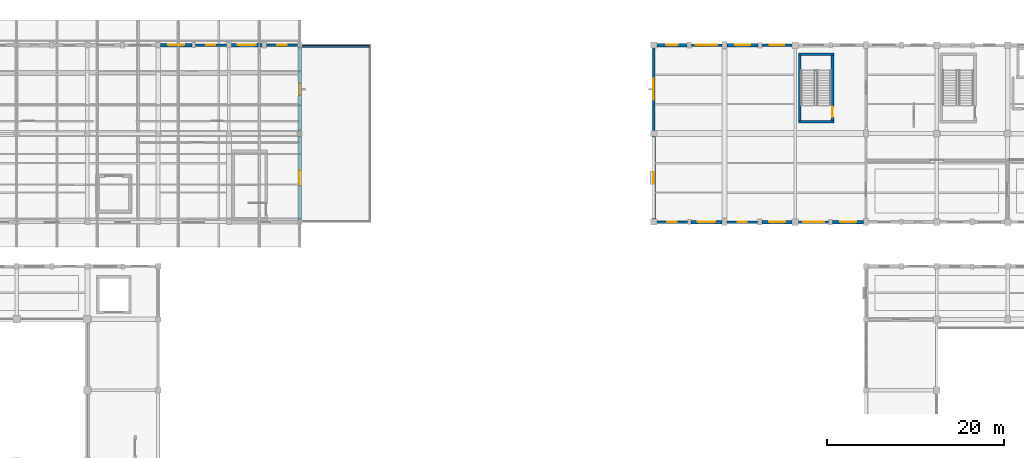
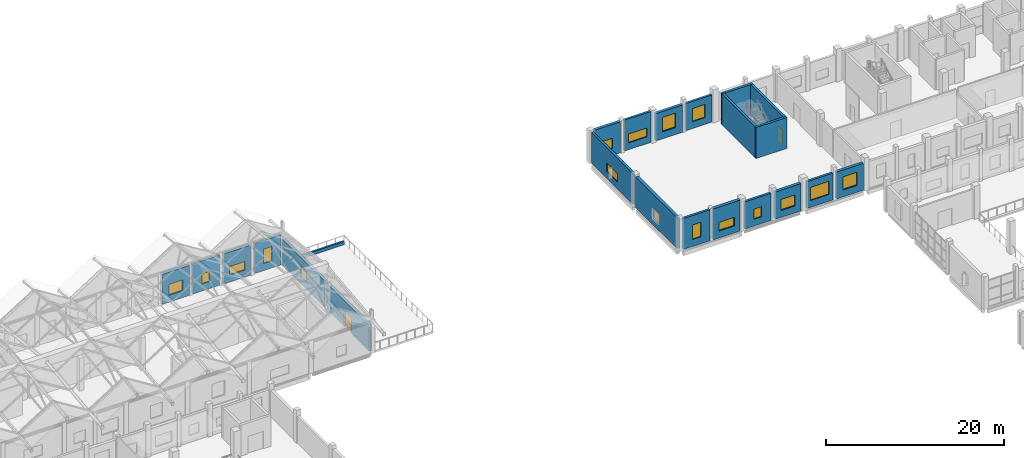
# One storey, part 146 of 183: 23 walls, 17 windows, 2 doors, 19 openings.
"""IFC4 building model written with IfcOpenShell, lengths in metres."""

from ifc_helpers import new_model, si_unit, direction, frame, frame_2d, origin, place, context, subcontext, project, spatial, rectangle, extrude, material, layer, layer_set, type_object, element, fill, save


model = new_model("IFC4")

# Units and contexts
model_context = context("Model", 3, precision=1e-05, world=origin(), true_north=direction((0.0, 1.0)))
body_context = subcontext(model_context, "Body", "Model", "MODEL_VIEW")
ifc_project = project(units=[si_unit("LENGTHUNIT", "METRE"), si_unit("AREAUNIT", "SQUARE_METRE"), si_unit("VOLUMEUNIT", "CUBIC_METRE"), si_unit("PLANEANGLEUNIT", "RADIAN"), si_unit("MASSUNIT", "GRAM", prefix="KILO")], contexts=[model_context])

# Site, building, storey
site_placement = place(None, origin())
site = spatial("IfcSite", under=ifc_project, at=site_placement, CompositionType="ELEMENT")
building_placement = place(site_placement, origin())
building = spatial("IfcBuilding", under=site, at=building_placement, Name="Luwemba Playhouse", CompositionType="ELEMENT")
storey_placement = place(building_placement, frame((0.0, 0.0, 4.800048828125)))
storey = spatial("IfcBuildingStorey", under=building, at=storey_placement, Name="L01", CompositionType="ELEMENT", Elevation=4.800048828125)

# Wall, opening, window
ifc_material_1 = material(Name="Clay facing brick obra vista masonry", Category="masonry")
ifc_layer_1 = layer(ifc_material_1, 0.3798828125)
ifc_layer_set_1 = layer_set([ifc_layer_1], Name="Clay facing brick obra vista masonry")
wall_type_1 = type_object("IfcWallType", Name="WAL-BRK-380", PredefinedType="SOLIDWALL", material=ifc_layer_set_1)
wall_1_placement = place(storey_placement, frame((52.27490234375, 115.0, 0.0), z_axis=(0.0, 0.0, 1.0), x_axis=(1.0, 0.0, 0.0)))
wall_1 = element("IfcWall", 1, at=wall_1_placement, inside=storey, type_object=wall_type_1, Name="L01 V6W exterior facade wall 0218", PredefinedType="SOLIDWALL", context=body_context, shape_type="SweptSolid", body=[
    extrude(rectangle(XDim=3.525146484375, YDim=0.3798828125, at=frame_2d((1.7626953125, 0.0))), origin(), (0.0, 0.0, 1.0), 4.125),
])
opening_1_placement = place(wall_1_placement, frame((0.862548828125, 0.0, 0.949951171875)))
opening_1 = element("IfcOpeningElement", 2, at=opening_1_placement, cuts=wall_1, Name="Opening WN-10", PredefinedType="OPENING", context=body_context, shape_type="SweptSolid", body=[
    extrude(rectangle(XDim=1.800048828125, YDim=1.5, at=frame_2d((0.89990234375, 0.75))), frame((0.0, 0.199951171875, 0.0), z_axis=(0.0, -1.0, 0.0), x_axis=(1.0, 0.0, 0.0)), (0.0, 0.0, 1.0), 0.39990234375),
])
ifc_material_2 = material(Name="Solar-control double glazing in aluminium frame", Category="aluminium")
window_type_1 = type_object("IfcWindowType", Name="WIN-WN-10", PartitioningType="DOUBLE_PANEL_VERTICAL", PredefinedType="WINDOW", material=ifc_material_2)
window_1_placement = place(opening_1_placement, origin())
window_1 = element("IfcWindow", 3, at=window_1_placement, inside=storey, type_object=window_type_1, Name="L01 V6W scheduled window 0166", OverallHeight=1.5, OverallWidth=1.800048828125, PartitioningType="DOUBLE_PANEL_VERTICAL", PredefinedType="WINDOW", context=body_context, shape_type="SweptSolid", body=[
    extrude(rectangle(XDim=1.800048828125, YDim=1.5, at=frame_2d((0.89990234375, 0.75))), frame((0.0, 0.030029296875, 0.0), z_axis=(0.0, -1.0, 0.0), x_axis=(1.0, 0.0, 0.0)), (0.0, 0.0, 1.0), 0.06005859375),
])
fill(opening_1, window_1)

wall_2_placement = place(storey_placement, frame((60.27490234375, 115.0, 0.0), z_axis=(0.0, 0.0, 1.0), x_axis=(1.0, 0.0, 0.0)))
wall_2 = element("IfcWall", 4, at=wall_2_placement, inside=storey, type_object=wall_type_1, Name="L01 V6W exterior facade wall 0220", PredefinedType="SOLIDWALL", context=body_context, shape_type="SweptSolid", body=[
    extrude(rectangle(XDim=3.47509765625, YDim=0.3798828125, at=frame_2d((1.737548828125, 0.0))), origin(), (0.0, 0.0, 1.0), 4.125),
])
opening_2_placement = place(wall_2_placement, frame((0.737548828125, 0.0, 0.949951171875)))
opening_2 = element("IfcOpeningElement", 5, at=opening_2_placement, cuts=wall_2, Name="Opening WN-16", PredefinedType="OPENING", context=body_context, shape_type="SweptSolid", body=[
    extrude(rectangle(XDim=2.0, YDim=1.199951171875, at=frame_2d((1.0, 0.60009765625))), frame((0.0, 0.199951171875, 0.0), z_axis=(0.0, -1.0, 0.0), x_axis=(1.0, 0.0, 0.0)), (0.0, 0.0, 1.0), 0.39990234375),
])
window_type_2 = type_object("IfcWindowType", Name="WIN-WN-16", PartitioningType="DOUBLE_PANEL_HORIZONTAL", PredefinedType="WINDOW", material=ifc_material_2)
window_2_placement = place(opening_2_placement, origin())
window_2 = element("IfcWindow", 6, at=window_2_placement, inside=storey, type_object=window_type_2, Name="L01 V6W scheduled window 0168", OverallHeight=1.199951171875, OverallWidth=2.0, PartitioningType="DOUBLE_PANEL_HORIZONTAL", PredefinedType="WINDOW", context=body_context, shape_type="SweptSolid", body=[
    extrude(rectangle(XDim=2.0, YDim=1.199951171875, at=frame_2d((1.0, 0.60009765625))), frame((0.0, 0.030029296875, 0.0), z_axis=(0.0, -1.0, 0.0), x_axis=(1.0, 0.0, 0.0)), (0.0, 0.0, 1.0), 0.06005859375),
])
fill(opening_2, window_2)

wall_3_placement = place(storey_placement, frame((68.0, 114.72509765625, 0.0), z_axis=(0.0, 0.0, 1.0), x_axis=(0.0, -1.0, 0.0)))
wall_3 = element("IfcWall", 7, at=wall_3_placement, inside=storey, type_object=wall_type_1, Name="L01 V6W exterior facade wall 0222", PredefinedType="SOLIDWALL", context=body_context, shape_type="SweptSolid", body=[
    extrude(rectangle(XDim=9.4501953125, YDim=0.3798828125, at=frame_2d((4.72509765625, 0.0))), origin(), (0.0, 0.0, 1.0), 3.5849609375),
])
opening_3_placement = place(wall_3_placement, frame((4.074951171875, 0.0, 0.949951171875)))
opening_3 = element("IfcOpeningElement", 8, at=opening_3_placement, cuts=wall_3, Name="Opening WN-14", PredefinedType="OPENING", context=body_context, shape_type="SweptSolid", body=[
    extrude(rectangle(XDim=1.300048828125, YDim=1.39990234375, at=frame_2d((0.64990234375, 0.699951171875))), frame((0.0, 0.199951171875, 0.0), z_axis=(0.0, -1.0, 0.0), x_axis=(1.0, 0.0, 0.0)), (0.0, 0.0, 1.0), 0.39990234375),
])
window_type_3 = type_object("IfcWindowType", Name="WIN-WN-14", PartitioningType="SINGLE_PANEL", PredefinedType="WINDOW", material=ifc_material_2)
window_3_placement = place(opening_3_placement, origin())
window_3 = element("IfcWindow", 9, at=window_3_placement, inside=storey, type_object=window_type_3, Name="L01 V6W scheduled window 0170", OverallHeight=1.39990234375, OverallWidth=1.300048828125, PartitioningType="SINGLE_PANEL", PredefinedType="WINDOW", context=body_context, shape_type="SweptSolid", body=[
    extrude(rectangle(XDim=1.300048828125, YDim=1.39990234375, at=frame_2d((0.64990234375, 0.699951171875))), frame((0.0, 0.030029296875, 0.0), z_axis=(0.0, -1.0, 0.0), x_axis=(1.0, 0.0, 0.0)), (0.0, 0.0, 1.0), 0.06005859375),
])
fill(opening_3, window_3)

# Wall, opening, door
wall_4_placement = place(storey_placement, frame((68.0, 104.72509765625, 0.0), z_axis=(0.0, 0.0, 1.0), x_axis=(0.0, -1.0, 0.0)))
wall_4 = element("IfcWall", 10, at=wall_4_placement, inside=storey, type_object=wall_type_1, Name="L01 V6W exterior facade wall 0223", PredefinedType="SOLIDWALL", context=body_context, shape_type="SweptSolid", body=[
    extrude(rectangle(XDim=9.4501953125, YDim=0.3798828125, at=frame_2d((4.72509765625, 0.0))), origin(), (0.0, 0.0, 1.0), 3.5849609375),
])
opening_4_placement = place(wall_4_placement, frame((3.89990234375, 0.0, 0.0)))
opening_4 = element("IfcOpeningElement", 11, at=opening_4_placement, cuts=wall_4, Name="Opening D-TR1", PredefinedType="OPENING", context=body_context, shape_type="SweptSolid", body=[
    extrude(rectangle(XDim=1.64990234375, YDim=2.25, at=frame_2d((0.824951171875, 1.125))), frame((0.0, 0.199951171875, 0.0), z_axis=(0.0, -1.0, 0.0), x_axis=(1.0, 0.0, 0.0)), (0.0, 0.0, 1.0), 0.39990234375),
])
ifc_material_3 = material(Name="Architectural bronze-anodised aluminium and glazed leaf", Category="aluminium")
door_type_1 = type_object("IfcDoorType", Name="DR-TER-165", OperationType="NOTDEFINED", PredefinedType="DOOR", material=ifc_material_3)
door_1_placement = place(opening_4_placement, origin())
door_1 = element("IfcDoor", 12, at=door_1_placement, inside=storey, type_object=door_type_1, Name="L01 TER-V6W-L01 terrace entrance door", OperationType="DOUBLE_DOOR_SINGLE_SWING", OverallHeight=2.25, OverallWidth=1.64990234375, PredefinedType="DOOR", context=body_context, shape_type="SweptSolid", body=[
    extrude(rectangle(XDim=1.64990234375, YDim=2.25, at=frame_2d((0.824951171875, 1.125))), frame((0.0, 0.02490234375, 0.0), z_axis=(0.0, -1.0, 0.0), x_axis=(1.0, 0.0, 0.0)), (0.0, 0.0, 1.0), 0.050048828125),
])
fill(opening_4, door_1)

# Wall, opening, window
wall_5_placement = place(storey_placement, frame((108.0, 95.35009765625, 0.0), z_axis=(0.0, 0.0, 1.0), x_axis=(0.0, 1.0, 0.0)))
wall_5 = element("IfcWall", 13, at=wall_5_placement, inside=storey, type_object=wall_type_1, Name="L01 V6E exterior facade wall 0234", PredefinedType="SOLIDWALL", context=body_context, shape_type="SweptSolid", body=[
    extrude(rectangle(XDim=9.2998046875, YDim=0.3798828125, at=frame_2d((4.64990234375, 0.0))), origin(), (0.0, 0.0, 1.0), 4.25),
])
opening_5_placement = place(wall_5_placement, frame((4.0, 0.0, 0.949951171875)))
opening_5 = element("IfcOpeningElement", 14, at=opening_5_placement, cuts=wall_5, Name="Opening WN-14", PredefinedType="OPENING", context=body_context, shape_type="SweptSolid", body=[
    extrude(rectangle(XDim=1.300048828125, YDim=1.39990234375, at=frame_2d((0.64990234375, 0.699951171875))), frame((0.0, 0.199951171875, 0.0), z_axis=(0.0, -1.0, 0.0), x_axis=(1.0, 0.0, 0.0)), (0.0, 0.0, 1.0), 0.39990234375),
])
window_4_placement = place(opening_5_placement, origin())
window_4 = element("IfcWindow", 15, at=window_4_placement, inside=storey, type_object=window_type_3, Name="L01 V6E scheduled window 0181", OverallHeight=1.39990234375, OverallWidth=1.300048828125, PartitioningType="SINGLE_PANEL", PredefinedType="WINDOW", context=body_context, shape_type="SweptSolid", body=[
    extrude(rectangle(XDim=1.300048828125, YDim=1.39990234375, at=frame_2d((0.64990234375, 0.699951171875))), frame((0.0, 0.030029296875, 0.0), z_axis=(0.0, -1.0, 0.0), x_axis=(1.0, 0.0, 0.0)), (0.0, 0.0, 1.0), 0.06005859375),
])
fill(opening_5, window_4)

wall_6_placement = place(storey_placement, frame((108.35009765625, 115.0, 0.0), z_axis=(0.0, 0.0, 1.0), x_axis=(1.0, 0.0, 0.0)))
wall_6 = element("IfcWall", 16, at=wall_6_placement, inside=storey, type_object=wall_type_1, Name="L01 V6E exterior facade wall 0236", PredefinedType="SOLIDWALL", context=body_context, shape_type="SweptSolid", body=[
    extrude(rectangle(XDim=3.39990234375, YDim=0.3798828125, at=frame_2d((1.699951171875, 0.0))), origin(), (0.0, 0.0, 1.0), 4.25),
])
opening_6_placement = place(wall_6_placement, frame((1.050048828125, 0.0, 0.949951171875)))
opening_6 = element("IfcOpeningElement", 17, at=opening_6_placement, cuts=wall_6, Name="Opening WN-14", PredefinedType="OPENING", context=body_context, shape_type="SweptSolid", body=[
    extrude(rectangle(XDim=1.300048828125, YDim=1.39990234375, at=frame_2d((0.64990234375, 0.699951171875))), frame((0.0, 0.199951171875, 0.0), z_axis=(0.0, -1.0, 0.0), x_axis=(1.0, 0.0, 0.0)), (0.0, 0.0, 1.0), 0.39990234375),
])
window_5_placement = place(opening_6_placement, origin())
window_5 = element("IfcWindow", 18, at=window_5_placement, inside=storey, type_object=window_type_3, Name="L01 V6E scheduled window 0183", OverallHeight=1.39990234375, OverallWidth=1.300048828125, PartitioningType="SINGLE_PANEL", PredefinedType="WINDOW", context=body_context, shape_type="SweptSolid", body=[
    extrude(rectangle(XDim=1.300048828125, YDim=1.39990234375, at=frame_2d((0.64990234375, 0.699951171875))), frame((0.0, 0.030029296875, 0.0), z_axis=(0.0, -1.0, 0.0), x_axis=(1.0, 0.0, 0.0)), (0.0, 0.0, 1.0), 0.06005859375),
])
fill(opening_6, window_5)

wall_7_placement = place(storey_placement, frame((116.300048828125, 115.0, 0.0), z_axis=(0.0, 0.0, 1.0), x_axis=(1.0, 0.0, 0.0)))
wall_7 = element("IfcWall", 19, at=wall_7_placement, inside=storey, type_object=wall_type_1, Name="L01 V6E exterior facade wall 0238", PredefinedType="SOLIDWALL", context=body_context, shape_type="SweptSolid", body=[
    extrude(rectangle(XDim=3.474853515625, YDim=0.3798828125, at=frame_2d((1.7373046875, 0.0))), origin(), (0.0, 0.0, 1.0), 3.73486328125),
])
opening_7_placement = place(wall_7_placement, frame((0.887451171875, 0.0, 0.949951171875)))
opening_7 = element("IfcOpeningElement", 20, at=opening_7_placement, cuts=wall_7, Name="Opening WN-20", PredefinedType="OPENING", context=body_context, shape_type="SweptSolid", body=[
    extrude(rectangle(XDim=1.699951171875, YDim=2.0, at=frame_2d((0.85009765625, 1.0))), frame((0.0, 0.199951171875, 0.0), z_axis=(0.0, -1.0, 0.0), x_axis=(1.0, 0.0, 0.0)), (0.0, 0.0, 1.0), 0.39990234375),
])
window_type_4 = type_object("IfcWindowType", Name="WIN-WN-20", PartitioningType="DOUBLE_PANEL_VERTICAL", PredefinedType="WINDOW", material=ifc_material_2)
window_6_placement = place(opening_7_placement, origin())
window_6 = element("IfcWindow", 21, at=window_6_placement, inside=storey, type_object=window_type_4, Name="L01 V6E scheduled window 0185", OverallHeight=2.0, OverallWidth=1.699951171875, PartitioningType="DOUBLE_PANEL_VERTICAL", PredefinedType="WINDOW", context=body_context, shape_type="SweptSolid", body=[
    extrude(rectangle(XDim=1.699951171875, YDim=2.0, at=frame_2d((0.85009765625, 1.0))), frame((0.0, 0.030029296875, 0.0), z_axis=(0.0, -1.0, 0.0), x_axis=(1.0, 0.0, 0.0)), (0.0, 0.0, 1.0), 0.06005859375),
])
fill(opening_7, window_6)

wall_8_placement = place(storey_placement, frame((131.699951171875, 95.0, 0.0), z_axis=(0.0, 0.0, 1.0), x_axis=(-1.0, 0.0, 0.0)))
wall_8 = element("IfcWall", 22, at=wall_8_placement, inside=storey, type_object=wall_type_1, Name="L01 V6E exterior facade wall 0264", PredefinedType="SOLIDWALL", context=body_context, shape_type="SweptSolid", body=[
    extrude(rectangle(XDim=3.474853515625, YDim=0.3798828125, at=frame_2d((1.7373046875, 0.0))), origin(), (0.0, 0.0, 1.0), 3.68505859375),
])
opening_8_placement = place(wall_8_placement, frame((0.83740234375, 0.0, 0.949951171875)))
opening_8 = element("IfcOpeningElement", 23, at=opening_8_placement, cuts=wall_8, Name="Opening WN-04", PredefinedType="OPENING", context=body_context, shape_type="SweptSolid", body=[
    extrude(rectangle(XDim=1.800048828125, YDim=1.800048828125, at=frame_2d((0.89990234375, 0.89990234375))), frame((0.0, 0.199951171875, 0.0), z_axis=(0.0, -1.0, 0.0), x_axis=(1.0, 0.0, 0.0)), (0.0, 0.0, 1.0), 0.39990234375),
])
window_type_5 = type_object("IfcWindowType", Name="WIN-WN-04", PartitioningType="DOUBLE_PANEL_VERTICAL", PredefinedType="WINDOW", material=ifc_material_2)
window_7_placement = place(opening_8_placement, origin())
window_7 = element("IfcWindow", 24, at=window_7_placement, inside=storey, type_object=window_type_5, Name="L01 V6E scheduled window 0211", OverallHeight=1.800048828125, OverallWidth=1.800048828125, PartitioningType="DOUBLE_PANEL_VERTICAL", PredefinedType="WINDOW", context=body_context, shape_type="SweptSolid", body=[
    extrude(rectangle(XDim=1.800048828125, YDim=1.800048828125, at=frame_2d((0.89990234375, 0.89990234375))), frame((0.0, 0.030029296875, 0.0), z_axis=(0.0, -1.0, 0.0), x_axis=(1.0, 0.0, 0.0)), (0.0, 0.0, 1.0), 0.06005859375),
])
fill(opening_8, window_7)

wall_9_placement = place(storey_placement, frame((123.625, 95.0, 0.0), z_axis=(0.0, 0.0, 1.0), x_axis=(-1.0, 0.0, 0.0)))
wall_9 = element("IfcWall", 25, at=wall_9_placement, inside=storey, type_object=wall_type_1, Name="L01 V6E exterior facade wall 0266", PredefinedType="SOLIDWALL", context=body_context, shape_type="SweptSolid", body=[
    extrude(rectangle(XDim=3.375, YDim=0.3798828125, at=frame_2d((1.6875, 0.0))), origin(), (0.0, 0.0, 1.0), 3.73486328125),
])
opening_9_placement = place(wall_9_placement, frame((0.78759765625, 0.0, 0.949951171875)))
opening_9 = element("IfcOpeningElement", 26, at=opening_9_placement, cuts=wall_9, Name="Opening WN-10", PredefinedType="OPENING", context=body_context, shape_type="SweptSolid", body=[
    extrude(rectangle(XDim=1.800048828125, YDim=1.5, at=frame_2d((0.89990234375, 0.75))), frame((0.0, 0.199951171875, 0.0), z_axis=(0.0, -1.0, 0.0), x_axis=(1.0, 0.0, 0.0)), (0.0, 0.0, 1.0), 0.39990234375),
])
window_8_placement = place(opening_9_placement, origin())
window_8 = element("IfcWindow", 27, at=window_8_placement, inside=storey, type_object=window_type_1, Name="L01 V6E scheduled window 0213", OverallHeight=1.5, OverallWidth=1.800048828125, PartitioningType="DOUBLE_PANEL_VERTICAL", PredefinedType="WINDOW", context=body_context, shape_type="SweptSolid", body=[
    extrude(rectangle(XDim=1.800048828125, YDim=1.5, at=frame_2d((0.89990234375, 0.75))), frame((0.0, 0.030029296875, 0.0), z_axis=(0.0, -1.0, 0.0), x_axis=(1.0, 0.0, 0.0)), (0.0, 0.0, 1.0), 0.06005859375),
])
fill(opening_9, window_8)

wall_10_placement = place(storey_placement, frame((115.699951171875, 95.0, 0.0), z_axis=(0.0, 0.0, 1.0), x_axis=(-1.0, 0.0, 0.0)))
wall_10 = element("IfcWall", 28, at=wall_10_placement, inside=storey, type_object=wall_type_1, Name="L01 V6E exterior facade wall 0268", PredefinedType="SOLIDWALL", context=body_context, shape_type="SweptSolid", body=[
    extrude(rectangle(XDim=3.5, YDim=0.3798828125, at=frame_2d((1.75, 0.0))), origin(), (0.0, 0.0, 1.0), 4.25),
])
opening_10_placement = place(wall_10_placement, frame((0.75, 0.0, 0.949951171875)))
opening_10 = element("IfcOpeningElement", 29, at=opening_10_placement, cuts=wall_10, Name="Opening WN-16", PredefinedType="OPENING", context=body_context, shape_type="SweptSolid", body=[
    extrude(rectangle(XDim=2.0, YDim=1.199951171875, at=frame_2d((1.0, 0.60009765625))), frame((0.0, 0.199951171875, 0.0), z_axis=(0.0, -1.0, 0.0), x_axis=(1.0, 0.0, 0.0)), (0.0, 0.0, 1.0), 0.39990234375),
])
window_9_placement = place(opening_10_placement, origin())
window_9 = element("IfcWindow", 30, at=window_9_placement, inside=storey, type_object=window_type_2, Name="L01 V6E scheduled window 0215", OverallHeight=1.199951171875, OverallWidth=2.0, PartitioningType="DOUBLE_PANEL_HORIZONTAL", PredefinedType="WINDOW", context=body_context, shape_type="SweptSolid", body=[
    extrude(rectangle(XDim=2.0, YDim=1.199951171875, at=frame_2d((1.0, 0.60009765625))), frame((0.0, 0.030029296875, 0.0), z_axis=(0.0, -1.0, 0.0), x_axis=(1.0, 0.0, 0.0)), (0.0, 0.0, 1.0), 0.06005859375),
])
fill(opening_10, window_9)

# Walls
ifc_material_4 = material(Name="Concrete C40/50", Category="concrete")
ifc_layer_2 = layer(ifc_material_4, 0.300048828125)
ifc_layer_set_2 = layer_set([ifc_layer_2], Name="Concrete C40/50")
wall_type_2 = type_object("IfcWallType", Name="WAL-CORE-300", PredefinedType="SHEAR", material=ifc_layer_set_2)
for number, where, z_axis, x_axis, name in (
    (31, (124.35009765625, 106.35009765625, 0.0), (0.0, 0.0, 1.0), (1.0, 0.0, 0.0), "L01 ST-16 stair core wall S"),
    (32, (128.35009765625, 113.969970703125, 0.0), (0.0, 0.0, 1.0), (-1.0, 0.0, 0.0), "L01 ST-16 stair core wall N"),
):
    element("IfcWall", number, at=place(storey_placement, frame(where, z_axis=z_axis, x_axis=x_axis)), inside=storey, type_object=wall_type_2, Name=name, PredefinedType="SHEAR", context=body_context, shape_type="SweptSolid", body=[
        extrude(rectangle(XDim=4.0, YDim=0.300048828125, at=frame_2d((2.0, 0.0))), origin(), (0.0, 0.0, 1.0), 4.25),
    ])
wall_11_placement = place(storey_placement, frame((124.5, 106.5, 0.0), z_axis=(0.0, 0.0, 1.0), x_axis=(0.0, 1.0, 0.0)))
element("IfcWall", 33, at=wall_11_placement, inside=storey, type_object=wall_type_2, Name="L01 ST-16 stair core wall W", PredefinedType="SHEAR", context=body_context, shape_type="SweptSolid", body=[
    extrude(rectangle(XDim=7.320068359375, YDim=0.300048828125, at=frame_2d((3.66015625, 0.0))), origin(), (0.0, 0.0, 1.0), 4.25),
])

# Wall, opening, door
wall_12_placement = place(storey_placement, frame((128.199951171875, 106.5, 0.0), z_axis=(0.0, 0.0, 1.0), x_axis=(0.0, 1.0, 0.0)))
wall_12 = element("IfcWall", 34, at=wall_12_placement, inside=storey, type_object=wall_type_2, Name="L01 ST-16 stair core wall E", PredefinedType="SHEAR", context=body_context, shape_type="SweptSolid", body=[
    extrude(rectangle(XDim=7.320068359375, YDim=0.300048828125, at=frame_2d((3.66015625, 0.0))), origin(), (0.0, 0.0, 1.0), 4.25),
])
opening_11_placement = place(wall_12_placement, frame((0.35009765625, 0.0, 0.0)))
opening_11 = element("IfcOpeningElement", 35, at=opening_11_placement, cuts=wall_12, Name="Opening D-STAIR3", PredefinedType="OPENING", context=body_context, shape_type="SweptSolid", body=[
    extrude(rectangle(XDim=1.199951171875, YDim=2.14990234375, at=frame_2d((0.60009765625, 1.074951171875))), frame((0.0, 0.159912109375, 0.0), z_axis=(0.0, -1.0, 0.0), x_axis=(1.0, 0.0, 0.0)), (0.0, 0.0, 1.0), 0.320068359375),
])
ifc_material_5 = material(Name="Hardwood acoustic fire door leaf", Category="wood")
door_type_2 = type_object("IfcDoorType", Name="DR-STAIR-120", OperationType="NOTDEFINED", PredefinedType="DOOR", material=ifc_material_5)
door_2_placement = place(opening_11_placement, origin())
door_2 = element("IfcDoor", 36, at=door_2_placement, inside=storey, type_object=door_type_2, Name="L01 ST-16 protected stair entry door", OperationType="SINGLE_SWING_RIGHT", OverallHeight=2.14990234375, OverallWidth=1.199951171875, PredefinedType="DOOR", context=body_context, shape_type="SweptSolid", body=[
    extrude(rectangle(XDim=1.199951171875, YDim=2.14990234375, at=frame_2d((0.60009765625, 1.074951171875))), frame((0.0, 0.02490234375, 0.0), z_axis=(0.0, -1.0, 0.0), x_axis=(1.0, 0.0, 0.0)), (0.0, 0.0, 1.0), 0.050048828125),
])
fill(opening_11, door_2)

# Wall
ifc_material_6 = material(Name="Trencadis ceramic mosaic masonry", Category="masonry")
ifc_layer_3 = layer(ifc_material_6, 0.22509765625)
ifc_layer_set_3 = layer_set([ifc_layer_3], Name="Trencadis ceramic mosaic masonry")
wall_type_3 = type_object("IfcWallType", Name="WAL-PAR-225", PredefinedType="PARAPET", material=ifc_layer_set_3)
wall_13_placement = place(storey_placement, frame((68.0, 114.85009765625, 0.0), z_axis=(0.0, 0.0, 1.0), x_axis=(1.0, 0.0, 0.0)))
element("IfcWall", 37, at=wall_13_placement, inside=storey, type_object=wall_type_3, Name="Workshop terrace north trencadis coping", PredefinedType="PARAPET", context=body_context, shape_type="SweptSolid", body=[
    extrude(rectangle(XDim=7.85009765625, YDim=0.22509765625, at=frame_2d((3.925048828125, 0.0))), origin(), (0.0, 0.0, 1.0), 0.449951171875),
])

# Wall, opening, window
ifc_material_7 = material(Name="Structural timber GL24h infill", Category="wood")
ifc_layer_4 = layer(ifc_material_7, 0.280029296875)
ifc_layer_set_4 = layer_set([ifc_layer_4], Name="Structural timber GL24h infill")
wall_type_4 = type_object("IfcWallType", Name="WAL-TIM-280", PredefinedType="SOLIDWALL", material=ifc_layer_set_4)
wall_14_placement = place(storey_placement, frame((56.199951171875, 115.0, 0.0), z_axis=(0.0, 0.0, 1.0), x_axis=(1.0, 0.0, 0.0)))
wall_14 = element("IfcWall", 38, at=wall_14_placement, inside=storey, type_object=wall_type_4, Name="L01 V6W exterior facade wall 0219", PredefinedType="SOLIDWALL", context=body_context, shape_type="SweptSolid", body=[
    extrude(rectangle(XDim=3.525146484375, YDim=0.280029296875, at=frame_2d((1.7626953125, 0.0))), origin(), (0.0, 0.0, 1.0), 4.125),
])
opening_12_placement = place(wall_14_placement, frame((1.262451171875, 0.0, 0.949951171875)))
opening_12 = element("IfcOpeningElement", 39, at=opening_12_placement, cuts=wall_14, Name="Opening WN-13", PredefinedType="OPENING", context=body_context, shape_type="SweptSolid", body=[
    extrude(rectangle(XDim=1.0, YDim=1.39990234375, at=frame_2d((0.5, 0.699951171875))), frame((0.0, 0.14990234375, 0.0), z_axis=(0.0, -1.0, 0.0), x_axis=(1.0, 0.0, 0.0)), (0.0, 0.0, 1.0), 0.300048828125),
])
window_type_6 = type_object("IfcWindowType", Name="WIN-WN-13", PartitioningType="SINGLE_PANEL", PredefinedType="WINDOW", material=ifc_material_2)
window_10_placement = place(opening_12_placement, origin())
window_10 = element("IfcWindow", 40, at=window_10_placement, inside=storey, type_object=window_type_6, Name="L01 V6W scheduled window 0167", OverallHeight=1.39990234375, OverallWidth=1.0, PartitioningType="SINGLE_PANEL", PredefinedType="WINDOW", context=body_context, shape_type="SweptSolid", body=[
    extrude(rectangle(XDim=1.0, YDim=1.39990234375, at=frame_2d((0.5, 0.699951171875))), frame((0.0, 0.030029296875, 0.0), z_axis=(0.0, -1.0, 0.0), x_axis=(1.0, 0.0, 0.0)), (0.0, 0.0, 1.0), 0.06005859375),
])
fill(opening_12, window_10)

wall_15_placement = place(storey_placement, frame((64.25, 115.0, 0.0), z_axis=(0.0, 0.0, 1.0), x_axis=(1.0, 0.0, 0.0)))
wall_15 = element("IfcWall", 41, at=wall_15_placement, inside=storey, type_object=wall_type_4, Name="L01 V6W exterior facade wall 0221", PredefinedType="SOLIDWALL", context=body_context, shape_type="SweptSolid", body=[
    extrude(rectangle(XDim=3.47509765625, YDim=0.280029296875, at=frame_2d((1.737548828125, 0.0))), origin(), (0.0, 0.0, 1.0), 4.125),
])
opening_13_placement = place(wall_15_placement, frame((1.1875, 0.0, 0.949951171875)))
opening_13 = element("IfcOpeningElement", 42, at=opening_13_placement, cuts=wall_15, Name="Opening WN-19", PredefinedType="OPENING", context=body_context, shape_type="SweptSolid", body=[
    extrude(rectangle(XDim=1.10009765625, YDim=2.0, at=frame_2d((0.550048828125, 1.0))), frame((0.0, 0.14990234375, 0.0), z_axis=(0.0, -1.0, 0.0), x_axis=(1.0, 0.0, 0.0)), (0.0, 0.0, 1.0), 0.300048828125),
])
window_type_7 = type_object("IfcWindowType", Name="WIN-WN-19", PartitioningType="SINGLE_PANEL", PredefinedType="WINDOW", material=ifc_material_2)
window_11_placement = place(opening_13_placement, origin())
window_11 = element("IfcWindow", 43, at=window_11_placement, inside=storey, type_object=window_type_7, Name="L01 V6W scheduled window 0169", OverallHeight=2.0, OverallWidth=1.10009765625, PartitioningType="SINGLE_PANEL", PredefinedType="WINDOW", context=body_context, shape_type="SweptSolid", body=[
    extrude(rectangle(XDim=1.10009765625, YDim=2.0, at=frame_2d((0.550048828125, 1.0))), frame((0.0, 0.030029296875, 0.0), z_axis=(0.0, -1.0, 0.0), x_axis=(1.0, 0.0, 0.0)), (0.0, 0.0, 1.0), 0.06005859375),
])
fill(opening_13, window_11)

wall_16_placement = place(storey_placement, frame((108.0, 105.35009765625, 0.0), z_axis=(0.0, 0.0, 1.0), x_axis=(0.0, 1.0, 0.0)))
wall_16 = element("IfcWall", 44, at=wall_16_placement, inside=storey, type_object=wall_type_4, Name="L01 V6E exterior facade wall 0235", PredefinedType="SOLIDWALL", context=body_context, shape_type="SweptSolid", body=[
    extrude(rectangle(XDim=9.2998046875, YDim=0.280029296875, at=frame_2d((4.64990234375, 0.0))), origin(), (0.0, 0.0, 1.0), 4.25),
])
opening_14_placement = place(wall_16_placement, frame((3.449951171875, 0.0, 0.949951171875)))
opening_14 = element("IfcOpeningElement", 45, at=opening_14_placement, cuts=wall_16, Name="Opening WN-17", PredefinedType="OPENING", context=body_context, shape_type="SweptSolid", body=[
    extrude(rectangle(XDim=2.39990234375, YDim=1.199951171875, at=frame_2d((1.199951171875, 0.60009765625))), frame((0.0, 0.14990234375, 0.0), z_axis=(0.0, -1.0, 0.0), x_axis=(1.0, 0.0, 0.0)), (0.0, 0.0, 1.0), 0.300048828125),
])
window_type_8 = type_object("IfcWindowType", Name="WIN-WN-17", PartitioningType="TRIPLE_PANEL_HORIZONTAL", PredefinedType="WINDOW", material=ifc_material_2)
window_12_placement = place(opening_14_placement, origin())
window_12 = element("IfcWindow", 46, at=window_12_placement, inside=storey, type_object=window_type_8, Name="L01 V6E scheduled window 0182", OverallHeight=1.199951171875, OverallWidth=2.39990234375, PartitioningType="TRIPLE_PANEL_HORIZONTAL", PredefinedType="WINDOW", context=body_context, shape_type="SweptSolid", body=[
    extrude(rectangle(XDim=2.39990234375, YDim=1.199951171875, at=frame_2d((1.199951171875, 0.60009765625))), frame((0.0, 0.030029296875, 0.0), z_axis=(0.0, -1.0, 0.0), x_axis=(1.0, 0.0, 0.0)), (0.0, 0.0, 1.0), 0.06005859375),
])
fill(opening_14, window_12)

wall_17_placement = place(storey_placement, frame((112.25, 115.0, 0.0), z_axis=(0.0, 0.0, 1.0), x_axis=(1.0, 0.0, 0.0)))
wall_17 = element("IfcWall", 47, at=wall_17_placement, inside=storey, type_object=wall_type_4, Name="L01 V6E exterior facade wall 0237", PredefinedType="SOLIDWALL", context=body_context, shape_type="SweptSolid", body=[
    extrude(rectangle(XDim=3.449951171875, YDim=0.280029296875, at=frame_2d((1.72509765625, 0.0))), origin(), (0.0, 0.0, 1.0), 4.25),
])
opening_15_placement = place(wall_17_placement, frame((0.52490234375, 0.0, 0.949951171875)))
opening_15 = element("IfcOpeningElement", 48, at=opening_15_placement, cuts=wall_17, Name="Opening WN-17", PredefinedType="OPENING", context=body_context, shape_type="SweptSolid", body=[
    extrude(rectangle(XDim=2.39990234375, YDim=1.199951171875, at=frame_2d((1.199951171875, 0.60009765625))), frame((0.0, 0.14990234375, 0.0), z_axis=(0.0, -1.0, 0.0), x_axis=(1.0, 0.0, 0.0)), (0.0, 0.0, 1.0), 0.300048828125),
])
window_13_placement = place(opening_15_placement, origin())
window_13 = element("IfcWindow", 49, at=window_13_placement, inside=storey, type_object=window_type_8, Name="L01 V6E scheduled window 0184", OverallHeight=1.199951171875, OverallWidth=2.39990234375, PartitioningType="TRIPLE_PANEL_HORIZONTAL", PredefinedType="WINDOW", context=body_context, shape_type="SweptSolid", body=[
    extrude(rectangle(XDim=2.39990234375, YDim=1.199951171875, at=frame_2d((1.199951171875, 0.60009765625))), frame((0.0, 0.030029296875, 0.0), z_axis=(0.0, -1.0, 0.0), x_axis=(1.0, 0.0, 0.0)), (0.0, 0.0, 1.0), 0.06005859375),
])
fill(opening_15, window_13)

wall_18_placement = place(storey_placement, frame((120.22509765625, 115.0, 0.0), z_axis=(0.0, 0.0, 1.0), x_axis=(1.0, 0.0, 0.0)))
wall_18 = element("IfcWall", 50, at=wall_18_placement, inside=storey, type_object=wall_type_4, Name="L01 V6E exterior facade wall 0239", PredefinedType="SOLIDWALL", context=body_context, shape_type="SweptSolid", body=[
    extrude(rectangle(XDim=3.39990234375, YDim=0.280029296875, at=frame_2d((1.699951171875, 0.0))), origin(), (0.0, 0.0, 1.0), 3.73486328125),
])
opening_16_placement = place(wall_18_placement, frame((0.89990234375, 0.0, 0.949951171875)))
opening_16 = element("IfcOpeningElement", 51, at=opening_16_placement, cuts=wall_18, Name="Opening WN-03", PredefinedType="OPENING", context=body_context, shape_type="SweptSolid", body=[
    extrude(rectangle(XDim=1.60009765625, YDim=1.800048828125, at=frame_2d((0.800048828125, 0.89990234375))), frame((0.0, 0.14990234375, 0.0), z_axis=(0.0, -1.0, 0.0), x_axis=(1.0, 0.0, 0.0)), (0.0, 0.0, 1.0), 0.300048828125),
])
window_type_9 = type_object("IfcWindowType", Name="WIN-WN-03", PartitioningType="DOUBLE_PANEL_VERTICAL", PredefinedType="WINDOW", material=ifc_material_2)
window_14_placement = place(opening_16_placement, origin())
window_14 = element("IfcWindow", 52, at=window_14_placement, inside=storey, type_object=window_type_9, Name="L01 V6E scheduled window 0186", OverallHeight=1.800048828125, OverallWidth=1.60009765625, PartitioningType="DOUBLE_PANEL_VERTICAL", PredefinedType="WINDOW", context=body_context, shape_type="SweptSolid", body=[
    extrude(rectangle(XDim=1.60009765625, YDim=1.800048828125, at=frame_2d((0.800048828125, 0.89990234375))), frame((0.0, 0.030029296875, 0.0), z_axis=(0.0, -1.0, 0.0), x_axis=(1.0, 0.0, 0.0)), (0.0, 0.0, 1.0), 0.06005859375),
])
fill(opening_16, window_14)

wall_19_placement = place(storey_placement, frame((127.77490234375, 95.0, 0.0), z_axis=(0.0, 0.0, 1.0), x_axis=(-1.0, 0.0, 0.0)))
wall_19 = element("IfcWall", 53, at=wall_19_placement, inside=storey, type_object=wall_type_4, Name="L01 V6E exterior facade wall 0265", PredefinedType="SOLIDWALL", context=body_context, shape_type="SweptSolid", body=[
    extrude(rectangle(XDim=3.39990234375, YDim=0.280029296875, at=frame_2d((1.699951171875, 0.0))), origin(), (0.0, 0.0, 1.0), 3.68505859375),
])
opening_17_placement = place(wall_19_placement, frame((0.5, 0.0, 0.949951171875)))
opening_17 = element("IfcOpeningElement", 54, at=opening_17_placement, cuts=wall_19, Name="Opening WN-07", PredefinedType="OPENING", context=body_context, shape_type="SweptSolid", body=[
    extrude(rectangle(XDim=2.39990234375, YDim=1.800048828125, at=frame_2d((1.199951171875, 0.89990234375))), frame((0.0, 0.14990234375, 0.0), z_axis=(0.0, -1.0, 0.0), x_axis=(1.0, 0.0, 0.0)), (0.0, 0.0, 1.0), 0.300048828125),
])
window_type_10 = type_object("IfcWindowType", Name="WIN-WN-07", PartitioningType="TRIPLE_PANEL_VERTICAL", PredefinedType="WINDOW", material=ifc_material_2)
window_15_placement = place(opening_17_placement, origin())
window_15 = element("IfcWindow", 55, at=window_15_placement, inside=storey, type_object=window_type_10, Name="L01 V6E scheduled window 0212", OverallHeight=1.800048828125, OverallWidth=2.39990234375, PartitioningType="TRIPLE_PANEL_VERTICAL", PredefinedType="WINDOW", context=body_context, shape_type="SweptSolid", body=[
    extrude(rectangle(XDim=2.39990234375, YDim=1.800048828125, at=frame_2d((1.199951171875, 0.89990234375))), frame((0.0, 0.030029296875, 0.0), z_axis=(0.0, -1.0, 0.0), x_axis=(1.0, 0.0, 0.0)), (0.0, 0.0, 1.0), 0.06005859375),
])
fill(opening_17, window_15)

wall_20_placement = place(storey_placement, frame((119.75, 95.0, 0.0), z_axis=(0.0, 0.0, 1.0), x_axis=(-1.0, 0.0, 0.0)))
wall_20 = element("IfcWall", 56, at=wall_20_placement, inside=storey, type_object=wall_type_4, Name="L01 V6E exterior facade wall 0267", PredefinedType="SOLIDWALL", context=body_context, shape_type="SweptSolid", body=[
    extrude(rectangle(XDim=3.449951171875, YDim=0.280029296875, at=frame_2d((1.72509765625, 0.0))), origin(), (0.0, 0.0, 1.0), 3.73486328125),
])
opening_18_placement = place(wall_20_placement, frame((1.22509765625, 0.0, 0.949951171875)))
opening_18 = element("IfcOpeningElement", 57, at=opening_18_placement, cuts=wall_20, Name="Opening WN-13", PredefinedType="OPENING", context=body_context, shape_type="SweptSolid", body=[
    extrude(rectangle(XDim=1.0, YDim=1.39990234375, at=frame_2d((0.5, 0.699951171875))), frame((0.0, 0.14990234375, 0.0), z_axis=(0.0, -1.0, 0.0), x_axis=(1.0, 0.0, 0.0)), (0.0, 0.0, 1.0), 0.300048828125),
])
window_16_placement = place(opening_18_placement, origin())
window_16 = element("IfcWindow", 58, at=window_16_placement, inside=storey, type_object=window_type_6, Name="L01 V6E scheduled window 0214", OverallHeight=1.39990234375, OverallWidth=1.0, PartitioningType="SINGLE_PANEL", PredefinedType="WINDOW", context=body_context, shape_type="SweptSolid", body=[
    extrude(rectangle(XDim=1.0, YDim=1.39990234375, at=frame_2d((0.5, 0.699951171875))), frame((0.0, 0.030029296875, 0.0), z_axis=(0.0, -1.0, 0.0), x_axis=(1.0, 0.0, 0.0)), (0.0, 0.0, 1.0), 0.06005859375),
])
fill(opening_18, window_16)

wall_21_placement = place(storey_placement, frame((111.800048828125, 95.0, 0.0), z_axis=(0.0, 0.0, 1.0), x_axis=(-1.0, 0.0, 0.0)))
wall_21 = element("IfcWall", 59, at=wall_21_placement, inside=storey, type_object=wall_type_4, Name="L01 V6E exterior facade wall 0269", PredefinedType="SOLIDWALL", context=body_context, shape_type="SweptSolid", body=[
    extrude(rectangle(XDim=3.449951171875, YDim=0.280029296875, at=frame_2d((1.72509765625, 0.0))), origin(), (0.0, 0.0, 1.0), 4.25),
])
opening_19_placement = place(wall_21_placement, frame((1.175048828125, 0.0, 0.949951171875)))
opening_19 = element("IfcOpeningElement", 60, at=opening_19_placement, cuts=wall_21, Name="Opening WN-19", PredefinedType="OPENING", context=body_context, shape_type="SweptSolid", body=[
    extrude(rectangle(XDim=1.10009765625, YDim=2.0, at=frame_2d((0.550048828125, 1.0))), frame((0.0, 0.14990234375, 0.0), z_axis=(0.0, -1.0, 0.0), x_axis=(1.0, 0.0, 0.0)), (0.0, 0.0, 1.0), 0.300048828125),
])
window_17_placement = place(opening_19_placement, origin())
window_17 = element("IfcWindow", 61, at=window_17_placement, inside=storey, type_object=window_type_7, Name="L01 V6E scheduled window 0216", OverallHeight=2.0, OverallWidth=1.10009765625, PartitioningType="SINGLE_PANEL", PredefinedType="WINDOW", context=body_context, shape_type="SweptSolid", body=[
    extrude(rectangle(XDim=1.10009765625, YDim=2.0, at=frame_2d((0.550048828125, 1.0))), frame((0.0, 0.030029296875, 0.0), z_axis=(0.0, -1.0, 0.0), x_axis=(1.0, 0.0, 0.0)), (0.0, 0.0, 1.0), 0.06005859375),
])
fill(opening_19, window_17)

save(model, "model.ifc")
